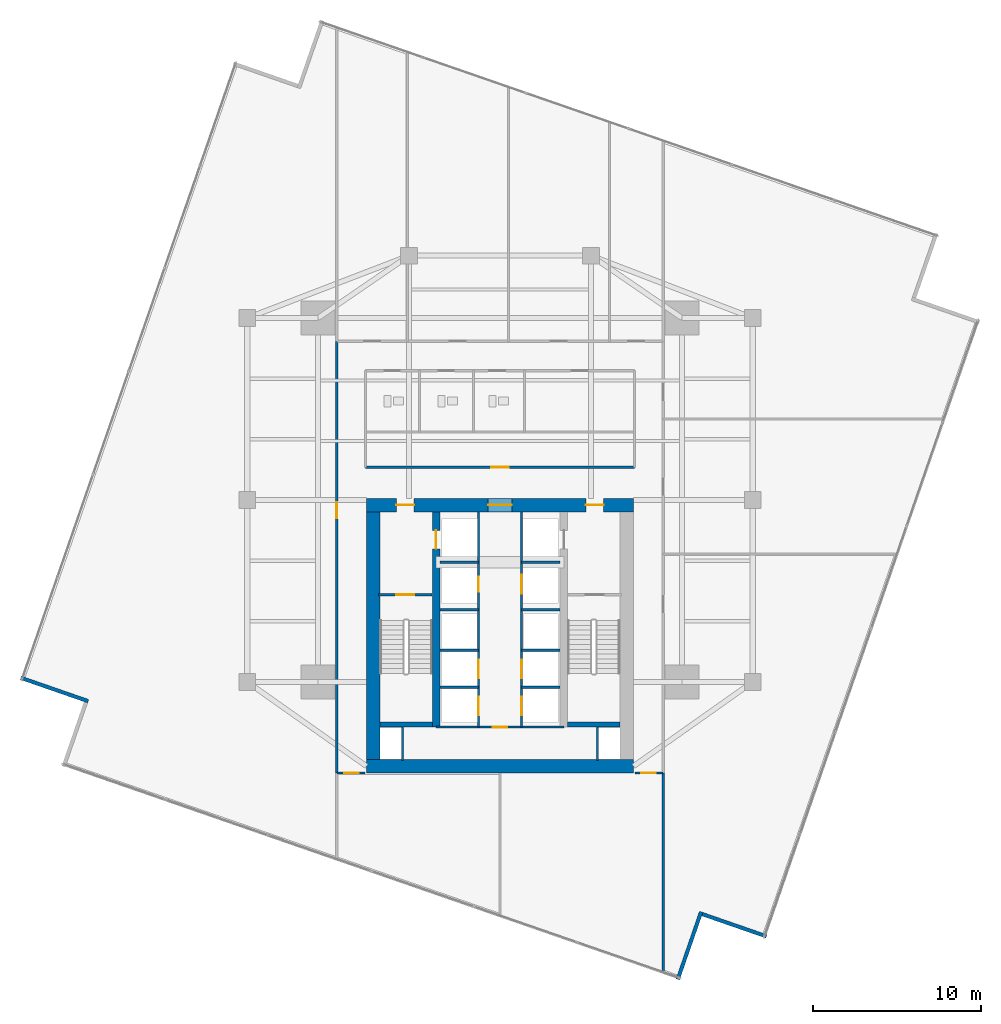
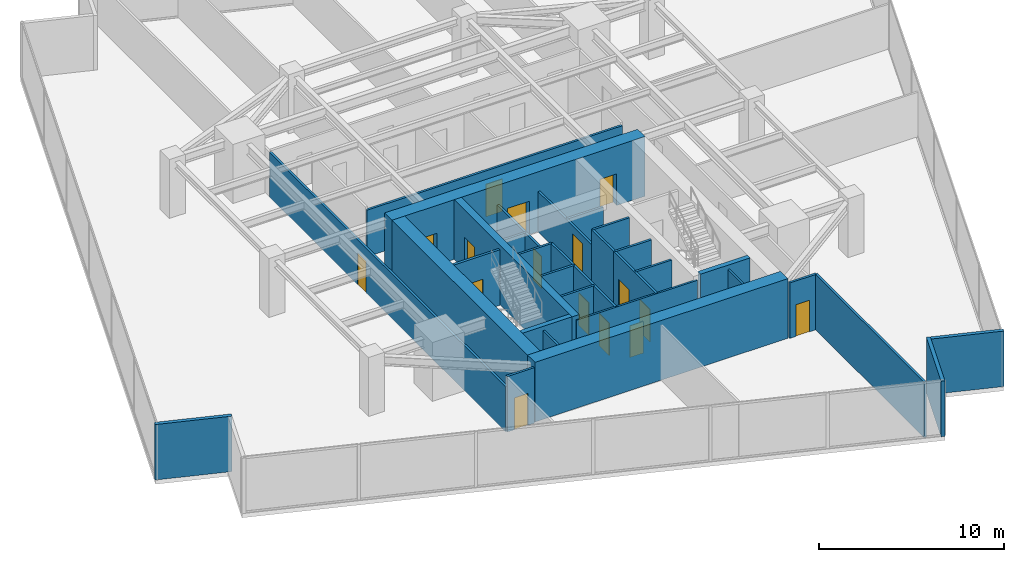
# One storey, part 23 of 28: 32 walls, 16 doors, 16 openings.
"""IFC4 building model written with IfcOpenShell, lengths in metres."""

import ifcopenshell
import ifcopenshell.guid

model = None  # the IFC model being written
_history = None  # IfcOwnerHistory: only IFC2X3 demands one
_inside = {}  # id of a spatial element -> (the spatial element, [elements in it])
_under = {}  # id of a project, library or spatial element -> (it, [spatial elements below it])
_declared = {}  # id of a project -> (the project, [libraries it declares])
_typed = {}  # id of a type object -> (the type object, [elements of that type])
_made_of = {}  # id of a material, layer set ... -> (it, [elements and type objects made of it])


def new_model(schema):
    """Start an empty IFC model of exactly this schema.

    Asked for "IFC4X3", IfcOpenShell would pick the latest addendum, in which some entities
    have other attributes; the version numbers below select the first issue.
    IFC2X3 requires an IfcOwnerHistory on every rooted entity: one is made here for all.
    """
    global model, _history
    if schema == "IFC4X3":
        model = ifcopenshell.file(schema_version=(4, 3, 0, 0))
    else:
        model = ifcopenshell.file(schema=schema)
    _inside.clear()
    _under.clear()
    _declared.clear()
    _typed.clear()
    _made_of.clear()
    _history = None
    if model.schema == "IFC2X3":
        org = make("IfcOrganization", Name="unknown")
        user = make(
            "IfcPersonAndOrganization",
            ThePerson=make("IfcPerson", FamilyName="unknown"),
            TheOrganization=org,
        )
        app = make(
            "IfcApplication",
            ApplicationDeveloper=org,
            Version="unknown",
            ApplicationFullName="unknown",
            ApplicationIdentifier="unknown",
        )
        _history = make(
            "IfcOwnerHistory",
            OwningUser=user,
            OwningApplication=app,
            ChangeAction="ADDED",
            CreationDate=0,
        )
    return model


def make(cls, **values):
    """One entity of the class cls with the attributes given. An attribute that is None is left unset."""
    return model.create_entity(
        cls, **{name: value for name, value in values.items() if value is not None}
    )


def rooted(cls, **values):
    """An entity with a GlobalId (a new one), such as an element, a storey or a relation."""
    return make(cls, GlobalId=ifcopenshell.guid.new(), OwnerHistory=_history, **values)


def si_unit(unit_type, name, prefix=None):
    """IfcSIUnit, for example si_unit("LENGTHUNIT", "METRE", prefix="MILLI")."""
    return make("IfcSIUnit", UnitType=unit_type, Prefix=prefix, Name=name)


def assignment(units):
    """IfcUnitAssignment: the units of a project."""
    return None if units is None else make("IfcUnitAssignment", Units=units)


def point(xyz):
    """IfcCartesianPoint."""
    return None if xyz is None else make("IfcCartesianPoint", Coordinates=xyz)


def direction(xyz):
    """IfcDirection."""
    return None if xyz is None else make("IfcDirection", DirectionRatios=xyz)


def frame(location, z_axis=None, x_axis=None):
    """IfcAxis2Placement3D, a coordinate frame: its origin and axes. An axis left out is left unset."""
    return make(
        "IfcAxis2Placement3D",
        Location=point(location),
        Axis=direction(z_axis),
        RefDirection=direction(x_axis),
    )


def frame_2d(location, x_axis=None):
    """IfcAxis2Placement2D, a coordinate frame in the plane: its origin and x axis."""
    return make(
        "IfcAxis2Placement2D", Location=point(location), RefDirection=direction(x_axis)
    )


def origin():
    """The frame at (0, 0, 0) with its axes left unset."""
    return frame((0.0, 0.0, 0.0))


def place(relative_to, where):
    """IfcLocalPlacement: puts the frame where relative to a parent placement (None: the world)."""
    return make(
        "IfcLocalPlacement", PlacementRelTo=relative_to, RelativePlacement=where
    )


def context(
    kind, dimensions, precision=None, world=None, true_north=None, identifier=None
):
    """IfcGeometricRepresentationContext, for example the 3D "Model" context."""
    return make(
        "IfcGeometricRepresentationContext",
        ContextIdentifier=identifier,
        ContextType=kind,
        CoordinateSpaceDimension=dimensions,
        Precision=precision,
        WorldCoordinateSystem=world,
        TrueNorth=true_north,
    )


def subcontext(parent, identifier, kind, view, scale=None):
    """IfcGeometricRepresentationSubContext, for example "Body" below "Model"."""
    return make(
        "IfcGeometricRepresentationSubContext",
        ContextIdentifier=identifier,
        ContextType=kind,
        ParentContext=parent,
        TargetScale=scale,
        TargetView=view,
    )


def project(units=None, contexts=None):
    """IfcProject with its units and contexts."""
    return rooted(
        "IfcProject",
        Name="project",
        RepresentationContexts=contexts,
        UnitsInContext=assignment(units),
    )


def spatial(cls, under=None, at=None, **own):
    """A site, building, storey or space (cls), placed at a placement, below another one or the project."""
    s = rooted(cls, ObjectPlacement=at, **own)
    if under is not None:
        _under.setdefault(under.id(), (under, []))[1].append(s)
    return s


def profile(cls, at=None, kind="AREA", **sizes):
    """A parametric profile (cls). Its sizes go by their IFC names, for example OverallWidth=200.0."""
    return make(cls, ProfileType=kind, Position=at, **sizes)


def rectangle(**sizes):
    """IfcRectangleProfileDef."""
    return profile("IfcRectangleProfileDef", **sizes)


def extrude(swept, where, along, depth):
    """IfcExtrudedAreaSolid: the profile swept, set in the frame where, extruded along a direction by depth."""
    return make(
        "IfcExtrudedAreaSolid",
        SweptArea=swept,
        Position=where,
        ExtrudedDirection=direction(along),
        Depth=depth,
    )


def shape(context_of_items, identifier, shape_type, items):
    """IfcShapeRepresentation: the items that make up one representation, for example the "Body"."""
    return make(
        "IfcShapeRepresentation",
        ContextOfItems=context_of_items,
        RepresentationIdentifier=identifier,
        RepresentationType=shape_type,
        Items=items,
    )


def material(Name=None, Category=None):
    """IfcMaterial."""
    return make("IfcMaterial", Name=Name, Category=Category)


def layer(
    of_material, thickness, ventilated=None, Name=None, Category=None, Priority=None
):
    """IfcMaterialLayer: one layer of a wall or slab, of a material (None: an air gap)."""
    return make(
        "IfcMaterialLayer",
        Material=of_material,
        LayerThickness=thickness,
        IsVentilated=ventilated,
        Name=Name,
        Category=Category,
        Priority=Priority,
    )


def layer_set(layers, Name=None):
    """IfcMaterialLayerSet."""
    return make("IfcMaterialLayerSet", MaterialLayers=layers, LayerSetName=Name)


def made_of(thing, what):
    """Note that an element or type object is made of a material, layer set ...; save() writes the relation."""
    if what is not None:
        _made_of.setdefault(what.id(), (what, []))[1].append(thing)
    return thing


def type_object(cls, material=None, **own):
    """A type object (cls), such as IfcWallType, which elements share."""
    return made_of(rooted(cls, **own), material)


def element(
    cls,
    number,
    at=None,
    inside=None,
    cuts=None,
    type_object=None,
    material=None,
    context=None,
    identifier="Body",
    shape_type=None,
    held_by="IfcProductDefinitionShape",
    body=None,
    shapes=None,
    **own,
):
    """One element of the class cls, such as IfcWall. Its Tag is "e" and its number.

    at: its placement. inside: the storey or other place that contains it. cuts: it is an
    opening in that element (IfcRelVoidsElement). A single representation is given by context,
    identifier, shape_type and body (its items); several are given by shapes. held_by: the class
    of the entity that holds the representations. save() writes the other relations.
    """
    e = rooted(cls, Tag="e%d" % number, ObjectPlacement=at, **own)
    if body is not None:
        shapes = [shape(context, identifier, shape_type, body)]
    if shapes is not None:
        e.Representation = make(held_by, Representations=shapes)
    if inside is not None:
        _inside.setdefault(inside.id(), (inside, []))[1].append(e)
    if cuts is not None:
        rooted(
            "IfcRelVoidsElement", RelatingBuildingElement=cuts, RelatedOpeningElement=e
        )
    if type_object is not None:
        _typed.setdefault(type_object.id(), (type_object, []))[1].append(e)
    return made_of(e, material)


def fill(opening, filler):
    """IfcRelFillsElement: the door or window that sits in an opening."""
    return rooted(
        "IfcRelFillsElement",
        RelatingOpeningElement=opening,
        RelatedBuildingElement=filler,
    )


def aggregate(whole, parts):
    """IfcRelAggregates: a whole, such as a stair, and the parts it consists of."""
    return rooted("IfcRelAggregates", RelatingObject=whole, RelatedObjects=parts)


def save(model, path):
    """Write the relations noted so far, then the file.

    IfcRelAggregates (storeys below a building ...), IfcRelContainedInSpatialStructure (elements
    in a storey), IfcRelDefinesByType, IfcRelAssociatesMaterial and IfcRelDeclares: one each for
    every whole, place, type object, material and project.
    """
    for whole, parts in _under.values():
        aggregate(whole, parts)
    for where, things in _inside.values():
        rooted(
            "IfcRelContainedInSpatialStructure",
            RelatedElements=things,
            RelatingStructure=where,
        )
    for kind, things in _typed.values():
        rooted("IfcRelDefinesByType", RelatedObjects=things, RelatingType=kind)
    for what, things in _made_of.values():
        rooted("IfcRelAssociatesMaterial", RelatedObjects=things, RelatingMaterial=what)
    for by, libraries in _declared.values():
        rooted("IfcRelDeclares", RelatingContext=by, RelatedDefinitions=libraries)
    model.write(path)


model = new_model("IFC4")

# Units and contexts
model_context = context("Model", 3, precision=1e-05, world=origin(), true_north=direction((0.0, 1.0)))
body_context = subcontext(model_context, "Body", "Model", "MODEL_VIEW")
ifc_project = project(units=[si_unit("LENGTHUNIT", "METRE"), si_unit("AREAUNIT", "SQUARE_METRE"), si_unit("VOLUMEUNIT", "CUBIC_METRE"), si_unit("PLANEANGLEUNIT", "RADIAN"), si_unit("MASSUNIT", "GRAM", prefix="KILO")], contexts=[model_context])

# Site, building, storey
site_placement = place(None, origin())
site = spatial("IfcSite", under=ifc_project, at=site_placement, CompositionType="ELEMENT")
building_placement = place(site_placement, origin())
building = spatial("IfcBuilding", under=site, at=building_placement, Name="Krantzveldt Concourse Tower", CompositionType="ELEMENT")
storey_placement = place(building_placement, frame((0.0, 0.0, 117.699951171875)))
storey = spatial("IfcBuildingStorey", under=building, at=storey_placement, Name="L28", CompositionType="ELEMENT", Elevation=117.699951171875)

# Walls
ifc_material_1 = material(Name="Anodised aluminium 6063-T6", Category="aluminium")
ifc_layer_1 = layer(ifc_material_1, 0.219970703125, Name="Anodised aluminium 6063-T6", Category="aluminium")
ifc_layer_set_1 = layer_set([ifc_layer_1], Name="Anodised aluminium 6063-T6 (WL-EXT-NOTCH220)")
wall_type_1 = type_object("IfcWallType", Name="WL-EXT-NOTCH220", PredefinedType="ELEMENTEDWALL", material=ifc_layer_set_1)
wall_1_placement = place(storey_placement, frame((7.5478515625, 16.1494140625, 0.0), z_axis=(0.0, 0.0, 1.0), x_axis=(0.944801308279, -0.327643843028, 0.0)))
element("IfcWall", 1, at=wall_1_placement, inside=storey, type_object=wall_type_1, Name="EW-L28-NCH02", PredefinedType="ELEMENTEDWALL", context=body_context, shape_type="SweptSolid", body=[
    extrude(rectangle(XDim=4.2451171875, YDim=0.219970703125, at=frame_2d((2.12255859375, 0.0))), origin(), (0.0, 0.0, 1.0), 3.670166015625),
])
wall_2_placement = place(storey_placement, frame((46.550537109375, -1.751953125, 0.0), z_axis=(0.0, 0.0, 1.0), x_axis=(0.327661647146, 0.944795133873, 0.0)))
element("IfcWall", 2, at=wall_2_placement, inside=storey, type_object=wall_type_1, Name="EW-L28-NCH05", PredefinedType="ELEMENTEDWALL", context=body_context, shape_type="SweptSolid", body=[
    extrude(rectangle(XDim=4.244873046875, YDim=0.219970703125, at=frame_2d((2.12255859375, 0.0))), origin(), (0.0, 0.0, 1.0), 3.670166015625),
])
wall_3_placement = place(storey_placement, frame((48.00927734375, 2.11865234375, 0.0), z_axis=(0.0, 0.0, 1.0), x_axis=(0.944811416539, -0.327614693164, 0.0)))
element("IfcWall", 3, at=wall_3_placement, inside=storey, type_object=wall_type_1, Name="EW-L28-NCH06", PredefinedType="ELEMENTEDWALL", context=body_context, shape_type="SweptSolid", body=[
    extrude(rectangle(XDim=4.02490234375, YDim=0.219970703125, at=frame_2d((2.012451171875, 0.0))), origin(), (0.0, 0.0, 1.0), 3.670166015625),
])

# Wall, opening, door
ifc_material_2 = material(Name="Fire-rated gypsum plasterboard on steel stud", Category="steel")
ifc_layer_2 = layer(ifc_material_2, 0.1201171875, Name="Fire-rated gypsum plasterboard on steel stud", Category="steel")
ifc_layer_set_2 = layer_set([ifc_layer_2], Name="Fire-rated gypsum plasterboard on steel stud (WL-PART-120)")
wall_type_2 = type_object("IfcWallType", Name="WL-PART-120", PredefinedType="PARTITIONING", material=ifc_layer_set_2)
wall_4_placement = place(storey_placement, frame((32.2099609375, 13.219970703125, 0.0), z_axis=(0.0, 0.0, 1.0), x_axis=(1.0, 0.0, 0.0)))
wall_4 = element("IfcWall", 4, at=wall_4_placement, inside=storey, type_object=wall_type_2, Name="WP-L28-CS2H", PredefinedType="PARTITIONING", context=body_context, shape_type="SweptSolid", body=[
    extrude(rectangle(XDim=7.580078125, YDim=0.1201171875, at=frame_2d((3.7900390625, 0.0))), origin(), (0.0, 0.0, 1.0), 3.670166015625),
])
opening_1_placement = place(wall_4_placement, frame((3.364990234375, 0.0, 0.0)))
opening_1 = element("IfcOpeningElement", 5, at=opening_1_placement, cuts=wall_4, Name="Opening D-IN085", PredefinedType="OPENING", context=body_context, shape_type="SweptSolid", body=[
    extrude(rectangle(XDim=0.85009765625, YDim=2.10009765625, at=frame_2d((0.425048828125, 1.050048828125))), frame((0.0, 0.070068359375, 0.0), z_axis=(0.0, -1.0, 0.0), x_axis=(1.0, 0.0, 0.0)), (0.0, 0.0, 1.0), 0.14013671875),
])
ifc_material_3 = material(Name="Hardwood timber", Category="wood")
door_type_1 = type_object("IfcDoorType", Name="DR-INT-850", OperationType="SINGLE_SWING_LEFT", PredefinedType="DOOR", material=ifc_material_3)
door_1_placement = place(opening_1_placement, origin())
door_1 = element("IfcDoor", 6, at=door_1_placement, inside=storey, type_object=door_type_1, Name="DR-L28-CSC1", OperationType="SINGLE_SWING_RIGHT", OverallHeight=2.10009765625, OverallWidth=0.85009765625, PredefinedType="DOOR", context=body_context, shape_type="SweptSolid", body=[
    extrude(rectangle(XDim=0.85009765625, YDim=2.10009765625, at=frame_2d((0.425048828125, 1.050048828125))), frame((0.0, 0.02490234375, 0.0), z_axis=(0.0, -1.0, 0.0), x_axis=(1.0, 0.0, 0.0)), (0.0, 0.0, 1.0), 0.050048828125),
])
fill(opening_1, door_1)

ifc_layer_3 = layer(ifc_material_2, 0.139892578125, Name="Fire-rated gypsum plasterboard on steel stud", Category="steel")
ifc_layer_set_3 = layer_set([ifc_layer_3], Name="Fire-rated gypsum plasterboard on steel stud (WL-PART-140)")
wall_type_3 = type_object("IfcWallType", Name="WL-PART-140", PredefinedType="PARTITIONING", material=ifc_layer_set_3)
wall_5_placement = place(storey_placement, frame((28.02001953125, 28.639892578125, 0.0), z_axis=(0.0, 0.0, 1.0), x_axis=(1.0, 0.0, 0.0)))
wall_5 = element("IfcWall", 7, at=wall_5_placement, inside=storey, type_object=wall_type_3, Name="WP-L28-ISLS", PredefinedType="PARTITIONING", context=body_context, shape_type="SweptSolid", body=[
    extrude(rectangle(XDim=15.9599609375, YDim=0.139892578125, at=frame_2d((7.97998046875, 0.0))), origin(), (0.0, 0.0, 1.0), 3.080078125),
])
opening_2_placement = place(wall_5_placement, frame((7.455078125, 0.0, 0.0)))
opening_2 = element("IfcOpeningElement", 8, at=opening_2_placement, cuts=wall_5, Name="Opening D-IN105", PredefinedType="OPENING", context=body_context, shape_type="SweptSolid", body=[
    extrude(rectangle(XDim=1.050048828125, YDim=2.14990234375, at=frame_2d((0.52490234375, 1.074951171875))), frame((0.0, 0.080078125, 0.0), z_axis=(0.0, -1.0, 0.0), x_axis=(1.0, 0.0, 0.0)), (0.0, 0.0, 1.0), 0.159912109375),
])
door_type_2 = type_object("IfcDoorType", Name="DR-INT-1050", OperationType="SINGLE_SWING_LEFT", PredefinedType="DOOR", material=ifc_material_3)
door_2_placement = place(opening_2_placement, origin())
door_2 = element("IfcDoor", 9, at=door_2_placement, inside=storey, type_object=door_type_2, Name="DR-L28-MIDB", OperationType="SINGLE_SWING_LEFT", OverallHeight=2.14990234375, OverallWidth=1.050048828125, PredefinedType="DOOR", context=body_context, shape_type="SweptSolid", body=[
    extrude(rectangle(XDim=1.050048828125, YDim=2.14990234375, at=frame_2d((0.52490234375, 1.074951171875))), frame((0.0, 0.02490234375, 0.0), z_axis=(0.0, -1.0, 0.0), x_axis=(1.0, 0.0, 0.0)), (0.0, 0.0, 1.0), 0.050048828125),
])
fill(opening_2, door_2)

wall_6_placement = place(storey_placement, frame((26.320068359375, 10.5, 0.0), z_axis=(0.0, 0.0, 1.0), x_axis=(0.0, 1.0, 0.0)))
wall_6 = element("IfcWall", 10, at=wall_6_placement, inside=storey, type_object=wall_type_3, Name="WP-L28-CWEST", PredefinedType="PARTITIONING", context=body_context, shape_type="SweptSolid", body=[
    extrude(rectangle(XDim=25.6201171875, YDim=0.139892578125, at=frame_2d((12.81005859375, 0.0))), origin(), (0.0, 0.0, 1.0), 2.969970703125),
])
opening_3_placement = place(wall_6_placement, frame((15.125, 0.0, 0.0)))
opening_3 = element("IfcOpeningElement", 11, at=opening_3_placement, cuts=wall_6, Name="Opening D-IN095", PredefinedType="OPENING", context=body_context, shape_type="SweptSolid", body=[
    extrude(rectangle(XDim=0.949951171875, YDim=2.10009765625, at=frame_2d((0.47509765625, 1.050048828125))), frame((0.0, 0.080078125, 0.0), z_axis=(0.0, -1.0, 0.0), x_axis=(1.0, 0.0, 0.0)), (0.0, 0.0, 1.0), 0.159912109375),
])
door_type_3 = type_object("IfcDoorType", Name="DR-INT-950", OperationType="SINGLE_SWING_LEFT", PredefinedType="DOOR", material=ifc_material_3)
door_3_placement = place(opening_3_placement, origin())
door_3 = element("IfcDoor", 12, at=door_3_placement, inside=storey, type_object=door_type_3, Name="DR-L28-WR1", OperationType="SINGLE_SWING_LEFT", OverallHeight=2.10009765625, OverallWidth=0.949951171875, PredefinedType="DOOR", context=body_context, shape_type="SweptSolid", body=[
    extrude(rectangle(XDim=0.949951171875, YDim=2.10009765625, at=frame_2d((0.47509765625, 1.050048828125))), frame((0.0, 0.02490234375, 0.0), z_axis=(0.0, -1.0, 0.0), x_axis=(1.0, 0.0, 0.0)), (0.0, 0.0, 1.0), 0.050048828125),
])
fill(opening_3, door_3)

wall_7_placement = place(storey_placement, frame((26.320068359375, 10.5, 0.0), z_axis=(0.0, 0.0, 1.0), x_axis=(1.0, 0.0, 0.0)))
wall_7 = element("IfcWall", 13, at=wall_7_placement, inside=storey, type_object=wall_type_3, Name="WP-L28-CWBOT", PredefinedType="PARTITIONING", context=body_context, shape_type="SweptSolid", body=[
    extrude(rectangle(XDim=1.679931640625, YDim=0.139892578125, at=frame_2d((0.83984375, 0.0))), origin(), (0.0, 0.0, 1.0), 3.670166015625),
])
opening_4_placement = place(wall_7_placement, frame((0.445068359375, 0.0, 0.0)))
opening_4 = element("IfcOpeningElement", 14, at=opening_4_placement, cuts=wall_7, Name="Opening D-IN085", PredefinedType="OPENING", context=body_context, shape_type="SweptSolid", body=[
    extrude(rectangle(XDim=0.85009765625, YDim=2.10009765625, at=frame_2d((0.425048828125, 1.050048828125))), frame((0.0, 0.080078125, 0.0), z_axis=(0.0, -1.0, 0.0), x_axis=(1.0, 0.0, 0.0)), (0.0, 0.0, 1.0), 0.159912109375),
])
door_4_placement = place(opening_4_placement, origin())
door_4 = element("IfcDoor", 15, at=door_4_placement, inside=storey, type_object=door_type_1, Name="DR-L28-SR1", OperationType="SINGLE_SWING_LEFT", OverallHeight=2.10009765625, OverallWidth=0.85009765625, PredefinedType="DOOR", context=body_context, shape_type="SweptSolid", body=[
    extrude(rectangle(XDim=0.85009765625, YDim=2.10009765625, at=frame_2d((0.425048828125, 1.050048828125))), frame((0.0, 0.02490234375, 0.0), z_axis=(0.0, -1.0, 0.0), x_axis=(1.0, 0.0, 0.0)), (0.0, 0.0, 1.0), 0.050048828125),
])
fill(opening_4, door_4)

wall_8_placement = place(storey_placement, frame((44.0, 10.5, 0.0), z_axis=(0.0, 0.0, 1.0), x_axis=(1.0, 0.0, 0.0)))
wall_8 = element("IfcWall", 16, at=wall_8_placement, inside=storey, type_object=wall_type_3, Name="WP-L28-CEBOT", PredefinedType="PARTITIONING", context=body_context, shape_type="SweptSolid", body=[
    extrude(rectangle(XDim=1.679931640625, YDim=0.139892578125, at=frame_2d((0.83984375, 0.0))), origin(), (0.0, 0.0, 1.0), 3.670166015625),
])
opening_5_placement = place(wall_8_placement, frame((0.385009765625, 0.0, 0.0)))
opening_5 = element("IfcOpeningElement", 17, at=opening_5_placement, cuts=wall_8, Name="Opening D-IN085", PredefinedType="OPENING", context=body_context, shape_type="SweptSolid", body=[
    extrude(rectangle(XDim=0.85009765625, YDim=2.10009765625, at=frame_2d((0.425048828125, 1.050048828125))), frame((0.0, 0.080078125, 0.0), z_axis=(0.0, -1.0, 0.0), x_axis=(1.0, 0.0, 0.0)), (0.0, 0.0, 1.0), 0.159912109375),
])
door_5_placement = place(opening_5_placement, origin())
door_5 = element("IfcDoor", 18, at=door_5_placement, inside=storey, type_object=door_type_1, Name="DR-L28-SR2", OperationType="SINGLE_SWING_LEFT", OverallHeight=2.10009765625, OverallWidth=0.85009765625, PredefinedType="DOOR", context=body_context, shape_type="SweptSolid", body=[
    extrude(rectangle(XDim=0.85009765625, YDim=2.10009765625, at=frame_2d((0.425048828125, 1.050048828125))), frame((0.0, 0.02490234375, 0.0), z_axis=(0.0, -1.0, 0.0), x_axis=(1.0, 0.0, 0.0)), (0.0, 0.0, 1.0), 0.050048828125),
])
fill(opening_5, door_5)

# Wall
wall_9_placement = place(storey_placement, frame((45.679931640625, -1.32861328125, 0.0), z_axis=(0.0, 0.0, 1.0), x_axis=(0.0, 1.0, 0.0)))
element("IfcWall", 19, at=wall_9_placement, inside=storey, type_object=wall_type_3, Name="WP-L28-SER", PredefinedType="PARTITIONING", context=body_context, shape_type="SweptSolid", body=[
    extrude(rectangle(XDim=11.82861328125, YDim=0.139892578125, at=frame_2d((5.914306640625, 0.0))), origin(), (0.0, 0.0, 1.0), 3.670166015625),
])

# Wall, opening, door
ifc_layer_4 = layer(ifc_material_2, 0.139892578125, Name="Fire-rated gypsum plasterboard on steel stud", Category="steel")
ifc_layer_set_4 = layer_set([ifc_layer_4], Name="Fire-rated gypsum plasterboard on steel stud (WL-PART-FR140)")
wall_type_4 = type_object("IfcWallType", Name="WL-PART-FR140", PredefinedType="PARTITIONING", material=ifc_layer_set_4)
wall_10_placement = place(storey_placement, frame((34.719970703125, 20.199951171875, 0.0), z_axis=(0.0, 0.0, 1.0), x_axis=(0.0, 1.0, 0.0)))
wall_10 = element("IfcWall", 20, at=wall_10_placement, inside=storey, type_object=wall_type_4, Name="WP-L28-SHNW", PredefinedType="PARTITIONING", context=body_context, shape_type="SweptSolid", body=[
    extrude(rectangle(XDim=5.780029296875, YDim=0.139892578125, at=frame_2d((2.89013671875, 0.0))), origin(), (0.0, 0.0, 1.0), 2.670166015625),
])
opening_6_placement = place(wall_10_placement, frame((1.050048828125, 0.0, 0.0)))
opening_6 = element("IfcOpeningElement", 21, at=opening_6_placement, cuts=wall_10, Name="Opening D-FD090", PredefinedType="OPENING", context=body_context, shape_type="SweptSolid", body=[
    extrude(rectangle(XDim=0.89990234375, YDim=2.10009765625, at=frame_2d((0.449951171875, 1.050048828125))), frame((0.0, 0.080078125, 0.0), z_axis=(0.0, -1.0, 0.0), x_axis=(1.0, 0.0, 0.0)), (0.0, 0.0, 1.0), 0.159912109375),
])
door_type_4 = type_object("IfcDoorType", Name="DR-FD60-900", OperationType="SINGLE_SWING_LEFT", PredefinedType="DOOR", material=ifc_material_3)
door_6_placement = place(opening_6_placement, origin())
door_6 = element("IfcDoor", 22, at=door_6_placement, inside=storey, type_object=door_type_4, Name="Electrical Riser Access Door L28", OperationType="SINGLE_SWING_LEFT", OverallHeight=2.10009765625, OverallWidth=0.89990234375, PredefinedType="DOOR", context=body_context, shape_type="SweptSolid", body=[
    extrude(rectangle(XDim=0.89990234375, YDim=2.10009765625, at=frame_2d((0.449951171875, 1.050048828125))), frame((0.0, 0.02490234375, 0.0), z_axis=(0.0, -1.0, 0.0), x_axis=(1.0, 0.0, 0.0)), (0.0, 0.0, 1.0), 0.050048828125),
])
fill(opening_6, door_6)

wall_11_placement = place(storey_placement, frame((37.280029296875, 20.199951171875, 0.0), z_axis=(0.0, 0.0, 1.0), x_axis=(0.0, 1.0, 0.0)))
wall_11 = element("IfcWall", 23, at=wall_11_placement, inside=storey, type_object=wall_type_4, Name="WP-L28-SHNE", PredefinedType="PARTITIONING", context=body_context, shape_type="SweptSolid", body=[
    extrude(rectangle(XDim=5.780029296875, YDim=0.139892578125, at=frame_2d((2.89013671875, 0.0))), origin(), (0.0, 0.0, 1.0), 2.670166015625),
])
opening_7_placement = place(wall_11_placement, frame((0.949951171875, 0.0, 0.0)))
opening_7 = element("IfcOpeningElement", 24, at=opening_7_placement, cuts=wall_11, Name="Opening LD", PredefinedType="OPENING", context=body_context, shape_type="SweptSolid", body=[
    extrude(rectangle(XDim=1.10009765625, YDim=2.14990234375, at=frame_2d((0.550048828125, 1.074951171875))), frame((0.0, 0.080078125, 0.0), z_axis=(0.0, -1.0, 0.0), x_axis=(1.0, 0.0, 0.0)), (0.0, 0.0, 1.0), 0.159912109375),
])
ifc_material_4 = material(Name="Stainless steel 316L", Category="steel")
door_type_5 = type_object("IfcDoorType", Name="DR-SLIDE-LD1100", OperationType="DOUBLE_DOOR_SLIDING", PredefinedType="DOOR", material=ifc_material_4)
door_7_placement = place(opening_7_placement, origin())
door_7 = element("IfcDoor", 25, at=door_7_placement, inside=storey, type_object=door_type_5, Name="LD-L28-GL1", OperationType="DOUBLE_DOOR_SLIDING", OverallHeight=2.14990234375, OverallWidth=1.10009765625, PredefinedType="DOOR", context=body_context, shape_type="SweptSolid", body=[
    extrude(rectangle(XDim=1.10009765625, YDim=2.14990234375, at=frame_2d((0.550048828125, 1.074951171875))), frame((0.0, 0.02490234375, 0.0), z_axis=(0.0, -1.0, 0.0), x_axis=(1.0, 0.0, 0.0)), (0.0, 0.0, 1.0), 0.050048828125),
])
fill(opening_7, door_7)

# Walls
for number, where, z_axis, x_axis, name in (
    (26, (32.449951171875, 23.0, 0.0), (0.0, 0.0, 1.0), (1.0, 0.0, 0.0), "WP-L28-RISH"),
    (27, (37.280029296875, 23.0, 0.0), (0.0, 0.0, 1.0), (1.0, 0.0, 0.0), "WP-L28-GLH"),
):
    element("IfcWall", number, at=place(storey_placement, frame(where, z_axis=z_axis, x_axis=x_axis)), inside=storey, type_object=wall_type_4, Name=name, PredefinedType="PARTITIONING", context=body_context, shape_type="SweptSolid", body=[
        extrude(rectangle(XDim=2.27001953125, YDim=0.139892578125, at=frame_2d((1.135009765625, 0.0))), origin(), (0.0, 0.0, 1.0), 2.670166015625),
    ])
for number, where, z_axis, x_axis, name in (
    (28, (34.719970703125, 17.780029296875, 0.0), (0.0, 0.0, 1.0), (0.0, 1.0, 0.0), "WP-L28-SHNW2"),
    (29, (37.280029296875, 17.780029296875, 0.0), (0.0, 0.0, 1.0), (0.0, 1.0, 0.0), "WP-L28-SHNE2"),
):
    element("IfcWall", number, at=place(storey_placement, frame(where, z_axis=z_axis, x_axis=x_axis)), inside=storey, type_object=wall_type_4, Name=name, PredefinedType="PARTITIONING", context=body_context, shape_type="SweptSolid", body=[
        extrude(rectangle(XDim=2.419921875, YDim=0.139892578125, at=frame_2d((1.2099609375, 0.0))), origin(), (0.0, 0.0, 1.0), 3.670166015625),
    ])
for number, where, z_axis, x_axis, name in (
    (30, (32.449951171875, 17.780029296875, 0.0), (0.0, 0.0, 1.0), (1.0, 0.0, 0.0), "WP-L28-DIVW2"),
    (31, (32.449951171875, 20.179931640625, 0.0), (0.0, 0.0, 1.0), (1.0, 0.0, 0.0), "WP-L28-DIVW3"),
    (32, (37.280029296875, 17.780029296875, 0.0), (0.0, 0.0, 1.0), (1.0, 0.0, 0.0), "WP-L28-DIVE2"),
    (33, (37.280029296875, 20.179931640625, 0.0), (0.0, 0.0, 1.0), (1.0, 0.0, 0.0), "WP-L28-DIVE3"),
):
    element("IfcWall", number, at=place(storey_placement, frame(where, z_axis=z_axis, x_axis=x_axis)), inside=storey, type_object=wall_type_4, Name=name, PredefinedType="PARTITIONING", context=body_context, shape_type="SweptSolid", body=[
        extrude(rectangle(XDim=2.27001953125, YDim=0.139892578125, at=frame_2d((1.135009765625, 0.0))), origin(), (0.0, 0.0, 1.0), 3.670166015625),
    ])

# Wall, openings, doors
wall_12_placement = place(storey_placement, frame((34.719970703125, 13.219970703125, 0.0), z_axis=(0.0, 0.0, 1.0), x_axis=(0.0, 1.0, 0.0)))
wall_12 = element("IfcWall", 34, at=wall_12_placement, inside=storey, type_object=wall_type_4, Name="WP-L28-SHSW", PredefinedType="PARTITIONING", context=body_context, shape_type="SweptSolid", body=[
    extrude(rectangle(XDim=4.56005859375, YDim=0.139892578125, at=frame_2d((2.280029296875, 0.0))), origin(), (0.0, 0.0, 1.0), 3.670166015625),
])
opening_8_placement = place(wall_12_placement, frame((0.7099609375, 0.0, 0.0)))
opening_8 = element("IfcOpeningElement", 35, at=opening_8_placement, cuts=wall_12, Name="Opening LD", PredefinedType="OPENING", context=body_context, shape_type="SweptSolid", body=[
    extrude(rectangle(XDim=1.10009765625, YDim=2.14990234375, at=frame_2d((0.550048828125, 1.074951171875))), frame((0.0, 0.080078125, 0.0), z_axis=(0.0, -1.0, 0.0), x_axis=(1.0, 0.0, 0.0)), (0.0, 0.0, 1.0), 0.159912109375),
])
opening_9_placement = place(wall_12_placement, frame((2.909912109375, 0.0, 0.0)))
opening_9 = element("IfcOpeningElement", 36, at=opening_9_placement, cuts=wall_12, Name="Opening LD", PredefinedType="OPENING", context=body_context, shape_type="SweptSolid", body=[
    extrude(rectangle(XDim=1.10009765625, YDim=2.14990234375, at=frame_2d((0.550048828125, 1.074951171875))), frame((0.0, 0.080078125, 0.0), z_axis=(0.0, -1.0, 0.0), x_axis=(1.0, 0.0, 0.0)), (0.0, 0.0, 1.0), 0.159912109375),
])
door_8_placement = place(opening_8_placement, origin())
door_8 = element("IfcDoor", 37, at=door_8_placement, inside=storey, type_object=door_type_5, Name="LD-L28-PL1", OperationType="DOUBLE_DOOR_SLIDING", OverallHeight=2.14990234375, OverallWidth=1.10009765625, PredefinedType="DOOR", context=body_context, shape_type="SweptSolid", body=[
    extrude(rectangle(XDim=1.10009765625, YDim=2.14990234375, at=frame_2d((0.550048828125, 1.074951171875))), frame((0.0, 0.02490234375, 0.0), z_axis=(0.0, -1.0, 0.0), x_axis=(1.0, 0.0, 0.0)), (0.0, 0.0, 1.0), 0.050048828125),
])
fill(opening_8, door_8)
door_9_placement = place(opening_9_placement, origin())
door_9 = element("IfcDoor", 38, at=door_9_placement, inside=storey, type_object=door_type_5, Name="LD-L28-PL2", OperationType="DOUBLE_DOOR_SLIDING", OverallHeight=2.14990234375, OverallWidth=1.10009765625, PredefinedType="DOOR", context=body_context, shape_type="SweptSolid", body=[
    extrude(rectangle(XDim=1.10009765625, YDim=2.14990234375, at=frame_2d((0.550048828125, 1.074951171875))), frame((0.0, 0.02490234375, 0.0), z_axis=(0.0, -1.0, 0.0), x_axis=(1.0, 0.0, 0.0)), (0.0, 0.0, 1.0), 0.050048828125),
])
fill(opening_9, door_9)

# Wall
wall_13_placement = place(storey_placement, frame((32.449951171875, 15.580078125, 0.0), z_axis=(0.0, 0.0, 1.0), x_axis=(1.0, 0.0, 0.0)))
element("IfcWall", 39, at=wall_13_placement, inside=storey, type_object=wall_type_4, Name="WP-L28-DIVW1", PredefinedType="PARTITIONING", context=body_context, shape_type="SweptSolid", body=[
    extrude(rectangle(XDim=2.27001953125, YDim=0.139892578125, at=frame_2d((1.135009765625, 0.0))), origin(), (0.0, 0.0, 1.0), 3.670166015625),
])

# Wall, openings, doors
wall_14_placement = place(storey_placement, frame((37.280029296875, 13.219970703125, 0.0), z_axis=(0.0, 0.0, 1.0), x_axis=(0.0, 1.0, 0.0)))
wall_14 = element("IfcWall", 40, at=wall_14_placement, inside=storey, type_object=wall_type_4, Name="WP-L28-SHSE", PredefinedType="PARTITIONING", context=body_context, shape_type="SweptSolid", body=[
    extrude(rectangle(XDim=4.56005859375, YDim=0.139892578125, at=frame_2d((2.280029296875, 0.0))), origin(), (0.0, 0.0, 1.0), 3.670166015625),
])
opening_10_placement = place(wall_14_placement, frame((0.7099609375, 0.0, 0.0)))
opening_10 = element("IfcOpeningElement", 41, at=opening_10_placement, cuts=wall_14, Name="Opening LD", PredefinedType="OPENING", context=body_context, shape_type="SweptSolid", body=[
    extrude(rectangle(XDim=1.10009765625, YDim=2.14990234375, at=frame_2d((0.550048828125, 1.074951171875))), frame((0.0, 0.080078125, 0.0), z_axis=(0.0, -1.0, 0.0), x_axis=(1.0, 0.0, 0.0)), (0.0, 0.0, 1.0), 0.159912109375),
])
opening_11_placement = place(wall_14_placement, frame((2.909912109375, 0.0, 0.0)))
opening_11 = element("IfcOpeningElement", 42, at=opening_11_placement, cuts=wall_14, Name="Opening LD", PredefinedType="OPENING", context=body_context, shape_type="SweptSolid", body=[
    extrude(rectangle(XDim=1.10009765625, YDim=2.14990234375, at=frame_2d((0.550048828125, 1.074951171875))), frame((0.0, 0.080078125, 0.0), z_axis=(0.0, -1.0, 0.0), x_axis=(1.0, 0.0, 0.0)), (0.0, 0.0, 1.0), 0.159912109375),
])
door_10_placement = place(opening_10_placement, origin())
door_10 = element("IfcDoor", 43, at=door_10_placement, inside=storey, type_object=door_type_5, Name="LD-L28-PM1", OperationType="DOUBLE_DOOR_SLIDING", OverallHeight=2.14990234375, OverallWidth=1.10009765625, PredefinedType="DOOR", context=body_context, shape_type="SweptSolid", body=[
    extrude(rectangle(XDim=1.10009765625, YDim=2.14990234375, at=frame_2d((0.550048828125, 1.074951171875))), frame((0.0, 0.02490234375, 0.0), z_axis=(0.0, -1.0, 0.0), x_axis=(1.0, 0.0, 0.0)), (0.0, 0.0, 1.0), 0.050048828125),
])
fill(opening_10, door_10)
door_11_placement = place(opening_11_placement, origin())
door_11 = element("IfcDoor", 44, at=door_11_placement, inside=storey, type_object=door_type_5, Name="LD-L28-PM2", OperationType="DOUBLE_DOOR_SLIDING", OverallHeight=2.14990234375, OverallWidth=1.10009765625, PredefinedType="DOOR", context=body_context, shape_type="SweptSolid", body=[
    extrude(rectangle(XDim=1.10009765625, YDim=2.14990234375, at=frame_2d((0.550048828125, 1.074951171875))), frame((0.0, 0.02490234375, 0.0), z_axis=(0.0, -1.0, 0.0), x_axis=(1.0, 0.0, 0.0)), (0.0, 0.0, 1.0), 0.050048828125),
])
fill(opening_11, door_11)

# Walls
wall_15_placement = place(storey_placement, frame((37.280029296875, 15.580078125, 0.0), z_axis=(0.0, 0.0, 1.0), x_axis=(1.0, 0.0, 0.0)))
element("IfcWall", 45, at=wall_15_placement, inside=storey, type_object=wall_type_4, Name="WP-L28-DIVE1", PredefinedType="PARTITIONING", context=body_context, shape_type="SweptSolid", body=[
    extrude(rectangle(XDim=2.27001953125, YDim=0.139892578125, at=frame_2d((1.135009765625, 0.0))), origin(), (0.0, 0.0, 1.0), 3.670166015625),
])
for number, where, z_axis, x_axis, name in (
    (46, (30.219970703125, 11.25, 0.0), (0.0, 0.0, 1.0), (0.0, 1.0, 0.0), "WP-L28-RSW"),
    (47, (41.780029296875, 11.25, 0.0), (0.0, 0.0, 1.0), (0.0, 1.0, 0.0), "WP-L28-RSE"),
):
    element("IfcWall", number, at=place(storey_placement, frame(where, z_axis=z_axis, x_axis=x_axis)), inside=storey, type_object=wall_type_4, Name=name, PredefinedType="PARTITIONING", context=body_context, shape_type="SweptSolid", body=[
        extrude(rectangle(XDim=1.969970703125, YDim=0.1201171875, at=frame_2d((0.98486328125, 0.0))), origin(), (0.0, 0.0, 1.0), 3.670166015625),
    ])

# Wall, opening, door
ifc_layer_5 = layer(ifc_material_2, 0.159912109375, Name="Fire-rated gypsum plasterboard on steel stud", Category="steel")
ifc_layer_set_5 = layer_set([ifc_layer_5], Name="Fire-rated gypsum plasterboard on steel stud (WL-PART-FR160)")
wall_type_5 = type_object("IfcWallType", Name="WL-PART-FR160", PredefinedType="PARTITIONING", material=ifc_layer_set_5)
wall_16_placement = place(storey_placement, frame((28.800048828125, 21.080078125, 0.0), z_axis=(0.0, 0.0, 1.0), x_axis=(1.0, 0.0, 0.0)))
wall_16 = element("IfcWall", 48, at=wall_16_placement, inside=storey, type_object=wall_type_5, Name="WP-L28-ST1", PredefinedType="PARTITIONING", context=body_context, shape_type="SweptSolid", body=[
    extrude(rectangle(XDim=3.159912109375, YDim=0.159912109375, at=frame_2d((1.580078125, 0.0))), origin(), (0.0, 0.0, 1.0), 3.670166015625),
])
opening_12_placement = place(wall_16_placement, frame((1.054931640625, 0.0, 0.0)))
opening_12 = element("IfcOpeningElement", 49, at=opening_12_placement, cuts=wall_16, Name="Opening D-FD105", PredefinedType="OPENING", context=body_context, shape_type="SweptSolid", body=[
    extrude(rectangle(XDim=1.050048828125, YDim=2.10009765625, at=frame_2d((0.52490234375, 1.050048828125))), frame((0.0, 0.08984375, 0.0), z_axis=(0.0, -1.0, 0.0), x_axis=(1.0, 0.0, 0.0)), (0.0, 0.0, 1.0), 0.179931640625),
])
ifc_material_5 = material(Name="Galvanised steel", Category="steel")
door_type_6 = type_object("IfcDoorType", Name="DR-FD120-1050", OperationType="SINGLE_SWING_LEFT", PredefinedType="DOOR", material=ifc_material_5)
door_12_placement = place(opening_12_placement, origin())
door_12 = element("IfcDoor", 50, at=door_12_placement, inside=storey, type_object=door_type_6, Name="DR-L28-ST1", OperationType="SINGLE_SWING_RIGHT", OverallHeight=2.10009765625, OverallWidth=1.050048828125, PredefinedType="DOOR", context=body_context, shape_type="SweptSolid", body=[
    extrude(rectangle(XDim=1.050048828125, YDim=2.10009765625, at=frame_2d((0.52490234375, 1.050048828125))), frame((0.0, 0.02490234375, 0.0), z_axis=(0.0, -1.0, 0.0), x_axis=(1.0, 0.0, 0.0)), (0.0, 0.0, 1.0), 0.050048828125),
])
fill(opening_12, door_12)

# Walls
ifc_material_6 = material(Name="Concrete C50/60", Category="concrete")
ifc_layer_6 = layer(ifc_material_6, 0.300048828125, Name="Concrete C50/60", Category="concrete")
ifc_layer_set_6 = layer_set([ifc_layer_6], Name="Concrete C50/60 (WL-SHEAR-300)")
wall_type_6 = type_object("IfcWallType", Name="WL-SHEAR-300", PredefinedType="SHEAR", material=ifc_layer_set_6)
for number, where, z_axis, x_axis, name in (
    (51, (28.8798828125, 13.3701171875, 0.0), (0.0, 0.0, 1.0), (1.0, 0.0, 0.0), "CW-L28-ST1S"),
    (52, (40.02001953125, 13.3701171875, 0.0), (0.0, 0.0, 1.0), (1.0, 0.0, 0.0), "CW-L28-ST2S"),
):
    element("IfcWall", number, at=place(storey_placement, frame(where, z_axis=z_axis, x_axis=x_axis)), inside=storey, type_object=wall_type_6, Name=name, PredefinedType="SHEAR", context=body_context, shape_type="SweptSolid", body=[
        extrude(rectangle(XDim=3.10009765625, YDim=0.300048828125, at=frame_2d((1.550048828125, 0.0))), origin(), (0.0, 0.0, 1.0), 3.949951171875),
    ])

# Wall, opening, door
ifc_layer_7 = layer(ifc_material_6, 0.449951171875, Name="Concrete C50/60", Category="concrete")
ifc_layer_set_7 = layer_set([ifc_layer_7], Name="Concrete C50/60 (WL-SHEAR-450)")
wall_type_7 = type_object("IfcWallType", Name="WL-SHEAR-450", PredefinedType="SHEAR", material=ifc_layer_set_7)
wall_17_placement = place(storey_placement, frame((32.205078125, 13.219970703125, 0.0), z_axis=(0.0, 0.0, 1.0), x_axis=(0.0, 1.0, 0.0)))
wall_17 = element("IfcWall", 53, at=wall_17_placement, inside=storey, type_object=wall_type_7, Name="CW-L28-IW", PredefinedType="SHEAR", context=body_context, shape_type="SweptSolid", body=[
    extrude(rectangle(XDim=12.780029296875, YDim=0.449951171875, at=frame_2d((6.39013671875, 0.0))), origin(), (0.0, 0.0, 1.0), 3.949951171875),
])
opening_13_placement = place(wall_17_placement, frame((10.580078125, 0.0, 0.0)))
opening_13 = element("IfcOpeningElement", 54, at=opening_13_placement, cuts=wall_17, Name="Opening LD", PredefinedType="OPENING", context=body_context, shape_type="SweptSolid", body=[
    extrude(rectangle(XDim=1.10009765625, YDim=2.14990234375, at=frame_2d((0.550048828125, 1.074951171875))), frame((0.0, 0.23486328125, 0.0), z_axis=(0.0, -1.0, 0.0), x_axis=(1.0, 0.0, 0.0)), (0.0, 0.0, 1.0), 0.469970703125),
])
door_13_placement = place(opening_13_placement, origin())
door_13 = element("IfcDoor", 55, at=door_13_placement, inside=storey, type_object=door_type_5, Name="LD-L28-FL1", OperationType="DOUBLE_DOOR_SLIDING", OverallHeight=2.14990234375, OverallWidth=1.10009765625, PredefinedType="DOOR", context=body_context, shape_type="SweptSolid", body=[
    extrude(rectangle(XDim=1.10009765625, YDim=2.14990234375, at=frame_2d((0.550048828125, 1.074951171875))), frame((0.0, 0.02490234375, 0.0), z_axis=(0.0, -1.0, 0.0), x_axis=(1.0, 0.0, 0.0)), (0.0, 0.0, 1.0), 0.050048828125),
])
fill(opening_13, door_13)

# Wall
ifc_material_7 = material(Name="Concrete C60/75", Category="concrete")
ifc_layer_8 = layer(ifc_material_7, 0.800048828125, Name="Concrete C60/75", Category="concrete")
ifc_layer_set_8 = layer_set([ifc_layer_8], Name="Concrete C60/75 (WL-SHEAR-800)")
wall_type_8 = type_object("IfcWallType", Name="WL-SHEAR-800", PredefinedType="SHEAR", material=ifc_layer_set_8)
wall_18_placement = place(storey_placement, frame((28.080078125, 10.89990234375, 0.0), z_axis=(0.0, 0.0, 1.0), x_axis=(1.0, 0.0, 0.0)))
element("IfcWall", 56, at=wall_18_placement, inside=storey, type_object=wall_type_8, Name="CW-L28-S", PredefinedType="SHEAR", context=body_context, shape_type="SweptSolid", body=[
    extrude(rectangle(XDim=15.83984375, YDim=0.800048828125, at=frame_2d((7.919921875, 0.0))), origin(), (0.0, 0.0, 1.0), 3.949951171875),
])

# Wall, openings, doors
wall_19_placement = place(storey_placement, frame((28.080078125, 26.39990234375, 0.0), z_axis=(0.0, 0.0, 1.0), x_axis=(1.0, 0.0, 0.0)))
wall_19 = element("IfcWall", 57, at=wall_19_placement, inside=storey, type_object=wall_type_8, Name="CW-L28-N", PredefinedType="SHEAR", context=body_context, shape_type="SweptSolid", body=[
    extrude(rectangle(XDim=15.83984375, YDim=0.800048828125, at=frame_2d((7.919921875, 0.0))), origin(), (0.0, 0.0, 1.0), 3.949951171875),
])
opening_14_placement = place(wall_19_placement, frame((7.219970703125, 0.0, 0.0)))
opening_14 = element("IfcOpeningElement", 58, at=opening_14_placement, cuts=wall_19, Name="Opening D-DB140", PredefinedType="OPENING", context=body_context, shape_type="SweptSolid", body=[
    extrude(rectangle(XDim=1.39990234375, YDim=2.199951171875, at=frame_2d((0.699951171875, 1.10009765625))), frame((0.0, 0.41015625, 0.0), z_axis=(0.0, -1.0, 0.0), x_axis=(1.0, 0.0, 0.0)), (0.0, 0.0, 1.0), 0.820068359375),
])
opening_15_placement = place(wall_19_placement, frame((1.77490234375, 0.0, 0.0)))
opening_15 = element("IfcOpeningElement", 59, at=opening_15_placement, cuts=wall_19, Name="Opening D-FD105", PredefinedType="OPENING", context=body_context, shape_type="SweptSolid", body=[
    extrude(rectangle(XDim=1.050048828125, YDim=2.10009765625, at=frame_2d((0.52490234375, 1.050048828125))), frame((0.0, 0.41015625, 0.0), z_axis=(0.0, -1.0, 0.0), x_axis=(1.0, 0.0, 0.0)), (0.0, 0.0, 1.0), 0.820068359375),
])
opening_16_placement = place(wall_19_placement, frame((13.014892578125, 0.0, 0.0)))
opening_16 = element("IfcOpeningElement", 60, at=opening_16_placement, cuts=wall_19, Name="Opening D-FD105", PredefinedType="OPENING", context=body_context, shape_type="SweptSolid", body=[
    extrude(rectangle(XDim=1.050048828125, YDim=2.10009765625, at=frame_2d((0.52490234375, 1.050048828125))), frame((0.0, 0.41015625, 0.0), z_axis=(0.0, -1.0, 0.0), x_axis=(1.0, 0.0, 0.0)), (0.0, 0.0, 1.0), 0.820068359375),
])
door_type_7 = type_object("IfcDoorType", Name="DR-DBL-1400", OperationType="DOUBLE_DOOR_SINGLE_SWING", PredefinedType="DOOR", material=ifc_material_1)
door_14_placement = place(opening_14_placement, origin())
door_14 = element("IfcDoor", 61, at=door_14_placement, inside=storey, type_object=door_type_7, Name="DR-L28-LLB", OperationType="DOUBLE_DOOR_SINGLE_SWING", OverallHeight=2.199951171875, OverallWidth=1.39990234375, PredefinedType="DOOR", context=body_context, shape_type="SweptSolid", body=[
    extrude(rectangle(XDim=1.39990234375, YDim=2.199951171875, at=frame_2d((0.699951171875, 1.10009765625))), frame((0.0, 0.02490234375, 0.0), z_axis=(0.0, -1.0, 0.0), x_axis=(1.0, 0.0, 0.0)), (0.0, 0.0, 1.0), 0.050048828125),
])
fill(opening_14, door_14)
door_15_placement = place(opening_15_placement, origin())
door_15 = element("IfcDoor", 62, at=door_15_placement, inside=storey, type_object=door_type_6, Name="DR-L28-FFL1", OperationType="SINGLE_SWING_LEFT", OverallHeight=2.10009765625, OverallWidth=1.050048828125, PredefinedType="DOOR", context=body_context, shape_type="SweptSolid", body=[
    extrude(rectangle(XDim=1.050048828125, YDim=2.10009765625, at=frame_2d((0.52490234375, 1.050048828125))), frame((0.0, 0.02490234375, 0.0), z_axis=(0.0, -1.0, 0.0), x_axis=(1.0, 0.0, 0.0)), (0.0, 0.0, 1.0), 0.050048828125),
])
fill(opening_15, door_15)
door_16_placement = place(opening_16_placement, origin())
door_16 = element("IfcDoor", 63, at=door_16_placement, inside=storey, type_object=door_type_6, Name="DR-L28-FFL2", OperationType="SINGLE_SWING_RIGHT", OverallHeight=2.10009765625, OverallWidth=1.050048828125, PredefinedType="DOOR", context=body_context, shape_type="SweptSolid", body=[
    extrude(rectangle(XDim=1.050048828125, YDim=2.10009765625, at=frame_2d((0.52490234375, 1.050048828125))), frame((0.0, 0.02490234375, 0.0), z_axis=(0.0, -1.0, 0.0), x_axis=(1.0, 0.0, 0.0)), (0.0, 0.0, 1.0), 0.050048828125),
])
fill(opening_16, door_16)

# Wall
wall_20_placement = place(storey_placement, frame((28.47998046875, 11.300048828125, 0.0), z_axis=(0.0, 0.0, 1.0), x_axis=(0.0, 1.0, 0.0)))
element("IfcWall", 64, at=wall_20_placement, inside=storey, type_object=wall_type_8, Name="CW-L28-W", PredefinedType="SHEAR", context=body_context, shape_type="SweptSolid", body=[
    extrude(rectangle(XDim=14.699951171875, YDim=0.800048828125, at=frame_2d((7.35009765625, 0.0))), origin(), (0.0, 0.0, 1.0), 3.949951171875),
])

save(model, "model.ifc")
